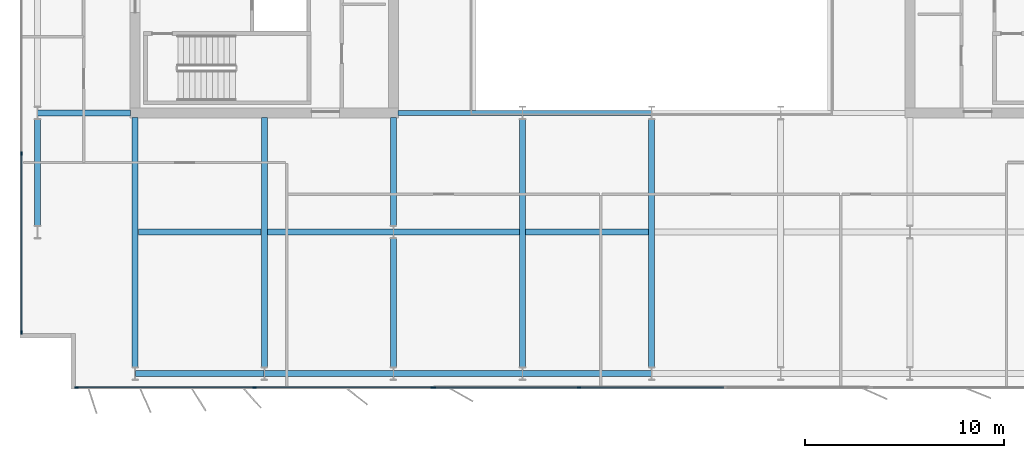
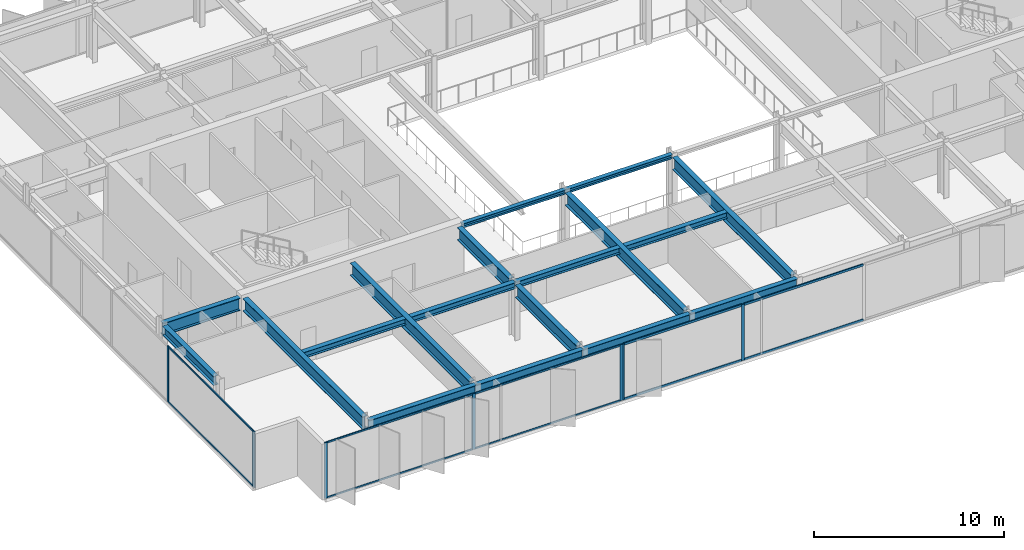
# One storey, part 4 of 19: 18 beams, 17 members, 3 elements without a shape of their own.
"""IFC4 building model written with IfcOpenShell, lengths in metres."""

from ifc_helpers import new_model, si_unit, direction, frame, origin, origin_2d, place, context, subcontext, project, spatial, rectangle, i_section, extrude, material, layer, layer_set, material_profile, profile_set, type_object, element, aggregate, save


model = new_model("IFC4")

# Units and contexts
model_context = context("Model", 3, precision=1e-05, world=origin(), true_north=direction((0.0, 1.0)))
body_context = subcontext(model_context, "Body", "Model", "MODEL_VIEW")
ifc_project = project(units=[si_unit("LENGTHUNIT", "METRE"), si_unit("AREAUNIT", "SQUARE_METRE"), si_unit("VOLUMEUNIT", "CUBIC_METRE"), si_unit("PLANEANGLEUNIT", "RADIAN"), si_unit("MASSUNIT", "GRAM", prefix="KILO")], contexts=[model_context])

# Site, building, storey
site_placement = place(None, origin())
site = spatial("IfcSite", under=ifc_project, at=site_placement, CompositionType="ELEMENT")
building_placement = place(site_placement, origin())
building = spatial("IfcBuilding", under=site, at=building_placement, Name="Putna Gate Headquarters", CompositionType="ELEMENT")
storey_placement = place(building_placement, frame((0.0, 0.0, 263.199951171875)))
storey = spatial("IfcBuildingStorey", under=building, at=storey_placement, Name="L66", CompositionType="ELEMENT", Elevation=263.199951171875)

# Beams
ifc_material_1 = material(Name="Steel S355J2", Category="steel")
ifc_material_profile_1 = material_profile(ifc_material_1, i_section(OverallWidth=0.260009765625, OverallDepth=0.260009765625, WebThickness=0.010009765625, FlangeThickness=0.017578125, at=origin_2d()), Name="Steel S355J2")
ifc_profile_set_1 = profile_set([ifc_material_profile_1], Name="Steel S355J2")
beam_type_1 = type_object("IfcBeamType", Name="BM-ATRIUM-HEB260", PredefinedType="BEAM", material=ifc_profile_set_1)
beam_1_placement = place(storey_placement, frame((26.235107421875, 19.0, 3.4580078125), z_axis=(1.0, 0.0, 0.0), x_axis=(0.0, 1.0, 0.0)))
element("IfcBeam", 1, at=beam_1_placement, inside=storey, type_object=beam_type_1, Name="L66 Atrium Edge Beam AS1", PredefinedType="BEAM", context=body_context, shape_type="SweptSolid", body=[
    extrude(i_section(OverallWidth=0.260009765625, OverallDepth=0.260009765625, WebThickness=0.010009765625, FlangeThickness=0.017578125, at=origin_2d()), origin(), (0.0, 0.0, 1.0), 6.2587890625),
])
beam_2_placement = place(storey_placement, frame((32.506103515625, 19.0, 3.4580078125), z_axis=(1.0, 0.0, 0.0), x_axis=(0.0, 1.0, 0.0)))
element("IfcBeam", 2, at=beam_2_placement, inside=storey, type_object=beam_type_1, Name="L66 Atrium Edge Beam AS2", PredefinedType="BEAM", context=body_context, shape_type="SweptSolid", body=[
    extrude(i_section(OverallWidth=0.260009765625, OverallDepth=0.260009765625, WebThickness=0.010009765625, FlangeThickness=0.017578125, at=origin_2d()), origin(), (0.0, 0.0, 1.0), 6.48779296875),
])
ifc_material_profile_2 = material_profile(ifc_material_1, i_section(OverallWidth=0.300048828125, OverallDepth=0.800048828125, WebThickness=0.017578125, FlangeThickness=0.032958984375, at=origin_2d()), Name="Steel S355J2")
ifc_profile_set_2 = profile_set([ifc_material_profile_2], Name="Steel S355J2")
beam_type_2 = type_object("IfcBeamType", Name="BM-GIRD-P-HEB800", PredefinedType="USERDEFINED", material=ifc_profile_set_2)
beam_3_placement = place(storey_placement, frame((8.0859375, 19.0, 3.18798828125), z_axis=(1.0, 0.0, 0.0), x_axis=(0.0, 1.0, 0.0)))
element("IfcBeam", 3, at=beam_3_placement, inside=storey, type_object=beam_type_2, Name="L66 West Wing Girder Y19", ObjectType="GIRDER", PredefinedType="USERDEFINED", context=body_context, shape_type="SweptSolid", body=[
    extrude(i_section(OverallWidth=0.300048828125, OverallDepth=0.800048828125, WebThickness=0.017578125, FlangeThickness=0.032958984375, at=origin_2d()), origin(), (0.0, 0.0, 1.0), 4.678955078125),
])
for number, where, z_axis, x_axis, name in (
    (4, (13.0, 6.201904296875, 3.18798828125), (0.0, 1.0, 0.0), (-1.0, 0.0, 0.0), "L66 South Primary Girder X13"),
    (5, (19.5, 6.201904296875, 3.18798828125), (0.0, 1.0, 0.0), (-1.0, 0.0, 0.0), "L66 South Primary Girder X19"),
):
    element("IfcBeam", number, at=place(storey_placement, frame(where, z_axis=z_axis, x_axis=x_axis)), inside=storey, type_object=beam_type_2, Name=name, ObjectType="GIRDER", PredefinedType="USERDEFINED", context=body_context, shape_type="SweptSolid", body=[
        extrude(i_section(OverallWidth=0.300048828125, OverallDepth=0.800048828125, WebThickness=0.017578125, FlangeThickness=0.032958984375, at=origin_2d()), origin(), (0.0, 0.0, 1.0), 12.56298828125),
    ])
beam_4_placement = place(storey_placement, frame((26.0, 6.201904296875, 3.18798828125), z_axis=(0.0, 1.0, 0.0), x_axis=(-1.0, 0.0, 0.0)))
element("IfcBeam", 6, at=beam_4_placement, inside=storey, type_object=beam_type_2, Name="L66 South Primary Girder X26-1", ObjectType="GIRDER", PredefinedType="USERDEFINED", context=body_context, shape_type="SweptSolid", body=[
    extrude(i_section(OverallWidth=0.300048828125, OverallDepth=0.800048828125, WebThickness=0.017578125, FlangeThickness=0.032958984375, at=origin_2d()), origin(), (0.0, 0.0, 1.0), 6.47607421875),
])
beam_5_placement = place(storey_placement, frame((26.0, 13.322021484375, 3.18798828125), z_axis=(0.0, 1.0, 0.0), x_axis=(-1.0, 0.0, 0.0)))
element("IfcBeam", 7, at=beam_5_placement, inside=storey, type_object=beam_type_2, Name="L66 South Primary Girder X26-2", ObjectType="GIRDER", PredefinedType="USERDEFINED", context=body_context, shape_type="SweptSolid", body=[
    extrude(i_section(OverallWidth=0.300048828125, OverallDepth=0.800048828125, WebThickness=0.017578125, FlangeThickness=0.032958984375, at=origin_2d()), origin(), (0.0, 0.0, 1.0), 5.44287109375),
])
for number, where, z_axis, x_axis, name in (
    (8, (32.5, 6.201904296875, 3.18798828125), (0.0, 1.0, 0.0), (-1.0, 0.0, 0.0), "L66 South Primary Girder X32"),
    (9, (39.0, 6.201904296875, 3.18798828125), (0.0, 1.0, 0.0), (-1.0, 0.0, 0.0), "L66 South Primary Girder X39"),
):
    element("IfcBeam", number, at=place(storey_placement, frame(where, z_axis=z_axis, x_axis=x_axis)), inside=storey, type_object=beam_type_2, Name=name, ObjectType="GIRDER", PredefinedType="USERDEFINED", context=body_context, shape_type="SweptSolid", body=[
        extrude(i_section(OverallWidth=0.300048828125, OverallDepth=0.800048828125, WebThickness=0.017578125, FlangeThickness=0.032958984375, at=origin_2d()), origin(), (0.0, 0.0, 1.0), 12.47607421875),
    ])
ifc_material_profile_3 = material_profile(ifc_material_1, i_section(OverallWidth=0.300048828125, OverallDepth=0.389892578125, WebThickness=0.010986328125, FlangeThickness=0.01904296875, at=origin_2d()), Name="Steel S355J2")
ifc_profile_set_3 = profile_set([ifc_material_profile_3], Name="Steel S355J2")
beam_type_3 = type_object("IfcBeamType", Name="BM-SEC-Z5-HEA400", PredefinedType="BEAM", material=ifc_profile_set_3)
beam_6_placement = place(storey_placement, frame((13.154052734375, 13.0, 3.39306640625), z_axis=(1.0, 0.0, 0.0), x_axis=(0.0, 1.0, 0.0)))
element("IfcBeam", 10, at=beam_6_placement, inside=storey, type_object=beam_type_3, Name="L66 South Secondary Beam 1", PredefinedType="BEAM", context=body_context, shape_type="SweptSolid", body=[
    extrude(i_section(OverallWidth=0.300048828125, OverallDepth=0.389892578125, WebThickness=0.010986328125, FlangeThickness=0.01904296875, at=origin_2d()), origin(), (0.0, 0.0, 1.0), 6.19189453125),
])
for number, where, z_axis, x_axis, name in (
    (11, (19.654052734375, 13.0, 3.39306640625), (1.0, 0.0, 0.0), (0.0, 1.0, 0.0), "L66 South Secondary Beam 2"),
    (12, (26.006103515625, 13.0, 3.39306640625), (1.0, 0.0, 0.0), (0.0, 1.0, 0.0), "L66 South Secondary Beam 3"),
):
    element("IfcBeam", number, at=place(storey_placement, frame(where, z_axis=z_axis, x_axis=x_axis)), inside=storey, type_object=beam_type_3, Name=name, PredefinedType="BEAM", context=body_context, shape_type="SweptSolid", body=[
        extrude(i_section(OverallWidth=0.300048828125, OverallDepth=0.389892578125, WebThickness=0.010986328125, FlangeThickness=0.01904296875, at=origin_2d()), origin(), (0.0, 0.0, 1.0), 6.33984375),
    ])
beam_7_placement = place(storey_placement, frame((32.654052734375, 13.0, 3.39306640625), z_axis=(1.0, 0.0, 0.0), x_axis=(0.0, 1.0, 0.0)))
element("IfcBeam", 13, at=beam_7_placement, inside=storey, type_object=beam_type_3, Name="L66 South Secondary Beam 4", PredefinedType="BEAM", context=body_context, shape_type="SweptSolid", body=[
    extrude(i_section(OverallWidth=0.300048828125, OverallDepth=0.389892578125, WebThickness=0.010986328125, FlangeThickness=0.01904296875, at=origin_2d()), origin(), (0.0, 0.0, 1.0), 6.19189453125),
])
ifc_material_profile_4 = material_profile(ifc_material_1, i_section(OverallWidth=0.300048828125, OverallDepth=0.590087890625, WebThickness=0.012939453125, FlangeThickness=0.02490234375, at=origin_2d()), Name="Steel S355J2")
ifc_profile_set_4 = profile_set([ifc_material_profile_4], Name="Steel S355J2")
beam_type_4 = type_object("IfcBeamType", Name="BM-SPAN-Z4-HEA600", PredefinedType="SPANDREL", material=ifc_profile_set_4)
for number, where, z_axis, x_axis, name in (
    (14, (13.006103515625, 5.8798828125, 3.29296875), (1.0, 0.0, 0.0), (0.0, 1.0, 0.0), "L66 S Perimeter Spandrel 1"),
    (15, (19.506103515625, 5.8798828125, 3.29296875), (1.0, 0.0, 0.0), (0.0, 1.0, 0.0), "L66 S Perimeter Spandrel 2"),
    (16, (26.006103515625, 5.8798828125, 3.29296875), (1.0, 0.0, 0.0), (0.0, 1.0, 0.0), "L66 S Perimeter Spandrel 3"),
    (17, (32.506103515625, 5.8798828125, 3.29296875), (1.0, 0.0, 0.0), (0.0, 1.0, 0.0), "L66 S Perimeter Spandrel 4"),
):
    element("IfcBeam", number, at=place(storey_placement, frame(where, z_axis=z_axis, x_axis=x_axis)), inside=storey, type_object=beam_type_4, Name=name, PredefinedType="SPANDREL", context=body_context, shape_type="SweptSolid", body=[
        extrude(i_section(OverallWidth=0.300048828125, OverallDepth=0.590087890625, WebThickness=0.012939453125, FlangeThickness=0.02490234375, at=origin_2d()), origin(), (0.0, 0.0, 1.0), 6.48779296875),
    ])
beam_8_placement = place(storey_placement, frame((8.080078125, 13.322021484375, 3.29296875), z_axis=(0.0, 1.0, 0.0), x_axis=(-1.0, 0.0, 0.0)))
element("IfcBeam", 18, at=beam_8_placement, inside=storey, type_object=beam_type_4, Name="L66 W End Spandrel 1", PredefinedType="SPANDREL", context=body_context, shape_type="SweptSolid", body=[
    extrude(i_section(OverallWidth=0.300048828125, OverallDepth=0.590087890625, WebThickness=0.012939453125, FlangeThickness=0.02490234375, at=origin_2d()), origin(), (0.0, 0.0, 1.0), 5.35595703125),
])

# Curtain wall, members
ifc_material_2 = material(Name="Anodised bronze aluminium curtain wall", Category="aluminium")
ifc_layer_1 = layer(ifc_material_2, 0.179931640625)
ifc_layer_set_1 = layer_set([ifc_layer_1], Name="Anodised bronze aluminium curtain wall")
curtain_wall_type_1 = type_object("IfcCurtainWallType", Name="CW-SYS-Z5", PredefinedType="USERDEFINED", material=ifc_layer_set_1)
curtain_wall_1_placement = place(storey_placement, origin())
curtain_wall_1 = element("IfcCurtainWall", 19, at=curtain_wall_1_placement, inside=storey, type_object=curtain_wall_type_1, Name="L66 South West Curtain Wall", ObjectType="STICK CURTAIN WALL", PredefinedType="USERDEFINED")
ifc_material_3 = material(Name="Anodised bronze aluminium EN AW-6060", Category="aluminium")
ifc_material_profile_5 = material_profile(ifc_material_3, rectangle(XDim=0.070068359375, YDim=0.179931640625, at=origin_2d()), Name="Anodised bronze aluminium EN AW-6060")
ifc_profile_set_5 = profile_set([ifc_material_profile_5], Name="Anodised bronze aluminium EN AW-6060")
member_type_1 = type_object("IfcMemberType", Name="MULL-CWM-5", PredefinedType="MULLION", material=ifc_profile_set_5)
member_1_placement = place(storey_placement, frame((10.034912109375, 5.179931640625, 0.0), z_axis=(0.0, 0.0, 1.0), x_axis=(0.0, 1.0, 0.0)))
member_1 = element("IfcMember", 20, at=member_1_placement, type_object=member_type_1, Name="CWS-5 mullion 1", PredefinedType="MULLION", context=body_context, shape_type="SweptSolid", body=[
    extrude(rectangle(XDim=0.070068359375, YDim=0.179931640625, at=origin_2d()), origin(), (0.0, 0.0, 1.0), 3.588134765625),
])
member_2_placement = place(storey_placement, frame((19.0, 5.179931640625, 0.0), z_axis=(0.0, 0.0, 1.0), x_axis=(0.0, 1.0, 0.0)))
member_2 = element("IfcMember", 21, at=member_2_placement, type_object=member_type_1, Name="CWS-5 mullion 2", PredefinedType="MULLION", context=body_context, shape_type="SweptSolid", body=[
    extrude(rectangle(XDim=0.070068359375, YDim=0.179931640625, at=origin_2d()), origin(), (0.0, 0.0, 1.0), 3.588134765625),
])
member_3_placement = place(storey_placement, frame((27.965087890625, 5.179931640625, 0.0), z_axis=(0.0, 0.0, 1.0), x_axis=(0.0, 1.0, 0.0)))
member_3 = element("IfcMember", 22, at=member_3_placement, type_object=member_type_1, Name="CWS-5 mullion 3", PredefinedType="MULLION", context=body_context, shape_type="SweptSolid", body=[
    extrude(rectangle(XDim=0.070068359375, YDim=0.179931640625, at=origin_2d()), origin(), (0.0, 0.0, 1.0), 3.588134765625),
])

curtain_wall_2_placement = place(storey_placement, origin())
curtain_wall_2 = element("IfcCurtainWall", 23, at=curtain_wall_2_placement, inside=storey, type_object=curtain_wall_type_1, Name="L66 West Curtain Wall", ObjectType="STICK CURTAIN WALL", PredefinedType="USERDEFINED")
member_4_placement = place(storey_placement, frame((7.280029296875, 7.93505859375, 0.0), z_axis=(0.0, 0.0, 1.0), x_axis=(-1.0, 0.0, 0.0)))
member_4 = element("IfcMember", 24, at=member_4_placement, type_object=member_type_1, Name="CWS-5 mullion 1", PredefinedType="MULLION", context=body_context, shape_type="SweptSolid", body=[
    extrude(rectangle(XDim=0.070068359375, YDim=0.179931640625, at=origin_2d()), origin(), (0.0, 0.0, 1.0), 3.588134765625),
])
member_5_placement = place(storey_placement, frame((7.280029296875, 16.949951171875, 0.0), z_axis=(0.0, 0.0, 1.0), x_axis=(-1.0, 0.0, 0.0)))
member_5 = element("IfcMember", 25, at=member_5_placement, type_object=member_type_1, Name="CWS-5 mullion 2", PredefinedType="MULLION", context=body_context, shape_type="SweptSolid", body=[
    extrude(rectangle(XDim=0.070068359375, YDim=0.179931640625, at=origin_2d()), origin(), (0.0, 0.0, 1.0), 3.588134765625),
])

ifc_layer_2 = layer(ifc_material_2, 0.179931640625)
ifc_layer_set_2 = layer_set([ifc_layer_2], Name="Anodised bronze aluminium curtain wall")
curtain_wall_type_2 = type_object("IfcCurtainWallType", Name="CW-SYS-ATR", PredefinedType="USERDEFINED", material=ifc_layer_set_2)
curtain_wall_3_placement = place(storey_placement, origin())
curtain_wall_3 = element("IfcCurtainWall", 26, at=curtain_wall_3_placement, inside=storey, type_object=curtain_wall_type_2, Name="L66 South Atrium Clear Glazing", ObjectType="ATRIUM GLAZING", PredefinedType="USERDEFINED")
ifc_material_profile_6 = material_profile(ifc_material_3, rectangle(XDim=0.070068359375, YDim=0.179931640625, at=origin_2d()), Name="Anodised bronze aluminium EN AW-6060")
ifc_profile_set_6 = profile_set([ifc_material_profile_6], Name="Anodised bronze aluminium EN AW-6060")
member_type_2 = type_object("IfcMemberType", Name="MULL-CWM-AT", PredefinedType="MULLION", material=ifc_profile_set_6)
member_6_placement = place(storey_placement, frame((28.034912109375, 5.179931640625, 0.0), z_axis=(0.0, 0.0, 1.0), x_axis=(0.0, 1.0, 0.0)))
member_6 = element("IfcMember", 27, at=member_6_placement, type_object=member_type_2, Name="CWS-AT mullion 1", PredefinedType="MULLION", context=body_context, shape_type="SweptSolid", body=[
    extrude(rectangle(XDim=0.070068359375, YDim=0.179931640625, at=origin_2d()), origin(), (0.0, 0.0, 1.0), 3.588134765625),
])
member_7_placement = place(storey_placement, frame((35.333251953125, 5.179931640625, 0.0), z_axis=(0.0, 0.0, 1.0), x_axis=(0.0, 1.0, 0.0)))
member_7 = element("IfcMember", 28, at=member_7_placement, type_object=member_type_2, Name="CWS-AT mullion 2", PredefinedType="MULLION", context=body_context, shape_type="SweptSolid", body=[
    extrude(rectangle(XDim=0.070068359375, YDim=0.179931640625, at=origin_2d()), origin(), (0.0, 0.0, 1.0), 3.588134765625),
])

# Member
ifc_material_profile_7 = material_profile(ifc_material_3, rectangle(XDim=0.06005859375, YDim=0.10009765625, at=origin_2d()), Name="Anodised bronze aluminium EN AW-6060")
ifc_profile_set_7 = profile_set([ifc_material_profile_7], Name="Anodised bronze aluminium EN AW-6060")
member_type_3 = type_object("IfcMemberType", Name="TRAN-CWT-5", PredefinedType="USERDEFINED", material=ifc_profile_set_7)
member_8_placement = place(storey_placement, frame((10.070068359375, 5.179931640625, 0.030029296875), z_axis=(1.0, 0.0, 0.0), x_axis=(0.0, 1.0, 0.0)))
member_8 = element("IfcMember", 29, at=member_8_placement, type_object=member_type_3, Name="CWS-5 transom 1.1", ObjectType="TRANSOM", PredefinedType="USERDEFINED", context=body_context, shape_type="SweptSolid", body=[
    extrude(rectangle(XDim=0.06005859375, YDim=0.10009765625, at=origin_2d()), origin(), (0.0, 0.0, 1.0), 8.89501953125),
])

member_9_placement = place(storey_placement, frame((10.070068359375, 5.179931640625, 3.55810546875), z_axis=(1.0, 0.0, 0.0), x_axis=(0.0, 1.0, 0.0)))
member_9 = element("IfcMember", 30, at=member_9_placement, type_object=member_type_3, Name="CWS-5 transom 1.2", ObjectType="TRANSOM", PredefinedType="USERDEFINED", context=body_context, shape_type="SweptSolid", body=[
    extrude(rectangle(XDim=0.06005859375, YDim=0.10009765625, at=origin_2d()), origin(), (0.0, 0.0, 1.0), 8.89501953125),
])

member_10_placement = place(storey_placement, frame((19.034912109375, 5.179931640625, 0.030029296875), z_axis=(1.0, 0.0, 0.0), x_axis=(0.0, 1.0, 0.0)))
member_10 = element("IfcMember", 31, at=member_10_placement, type_object=member_type_3, Name="CWS-5 transom 2.1", ObjectType="TRANSOM", PredefinedType="USERDEFINED", context=body_context, shape_type="SweptSolid", body=[
    extrude(rectangle(XDim=0.06005859375, YDim=0.10009765625, at=origin_2d()), origin(), (0.0, 0.0, 1.0), 8.89501953125),
])

member_11_placement = place(storey_placement, frame((19.034912109375, 5.179931640625, 3.55810546875), z_axis=(1.0, 0.0, 0.0), x_axis=(0.0, 1.0, 0.0)))
member_11 = element("IfcMember", 32, at=member_11_placement, type_object=member_type_3, Name="CWS-5 transom 2.2", ObjectType="TRANSOM", PredefinedType="USERDEFINED", context=body_context, shape_type="SweptSolid", body=[
    extrude(rectangle(XDim=0.06005859375, YDim=0.10009765625, at=origin_2d()), origin(), (0.0, 0.0, 1.0), 8.89501953125),
])

aggregate(curtain_wall_1, [member_1, member_2, member_3, member_8, member_9, member_10, member_11])

member_12_placement = place(storey_placement, frame((7.280029296875, 7.969970703125, 0.030029296875), z_axis=(0.0, 1.0, 0.0), x_axis=(-1.0, 0.0, 0.0)))
member_12 = element("IfcMember", 33, at=member_12_placement, type_object=member_type_3, Name="CWS-5 transom 1.1", ObjectType="TRANSOM", PredefinedType="USERDEFINED", context=body_context, shape_type="SweptSolid", body=[
    extrude(rectangle(XDim=0.06005859375, YDim=0.10009765625, at=origin_2d()), origin(), (0.0, 0.0, 1.0), 8.945068359375),
])

member_13_placement = place(storey_placement, frame((7.280029296875, 7.969970703125, 3.55810546875), z_axis=(0.0, 1.0, 0.0), x_axis=(-1.0, 0.0, 0.0)))
member_13 = element("IfcMember", 34, at=member_13_placement, type_object=member_type_3, Name="CWS-5 transom 1.2", ObjectType="TRANSOM", PredefinedType="USERDEFINED", context=body_context, shape_type="SweptSolid", body=[
    extrude(rectangle(XDim=0.06005859375, YDim=0.10009765625, at=origin_2d()), origin(), (0.0, 0.0, 1.0), 8.945068359375),
])

aggregate(curtain_wall_2, [member_4, member_5, member_12, member_13])

ifc_material_profile_8 = material_profile(ifc_material_3, rectangle(XDim=0.070068359375, YDim=0.139892578125, at=origin_2d()), Name="Anodised bronze aluminium EN AW-6060")
ifc_profile_set_8 = profile_set([ifc_material_profile_8], Name="Anodised bronze aluminium EN AW-6060")
member_type_4 = type_object("IfcMemberType", Name="TRAN-CWT-AT", PredefinedType="USERDEFINED", material=ifc_profile_set_8)
member_14_placement = place(storey_placement, frame((28.070068359375, 5.179931640625, 0.03515625), z_axis=(1.0, 0.0, 0.0), x_axis=(0.0, 1.0, 0.0)))
member_14 = element("IfcMember", 35, at=member_14_placement, type_object=member_type_4, Name="CWS-AT transom 1.1", ObjectType="TRANSOM", PredefinedType="USERDEFINED", context=body_context, shape_type="SweptSolid", body=[
    extrude(rectangle(XDim=0.070068359375, YDim=0.139892578125, at=origin_2d()), origin(), (0.0, 0.0, 1.0), 7.228271484375),
])

member_15_placement = place(storey_placement, frame((28.070068359375, 5.179931640625, 3.552978515625), z_axis=(1.0, 0.0, 0.0), x_axis=(0.0, 1.0, 0.0)))
member_15 = element("IfcMember", 36, at=member_15_placement, type_object=member_type_4, Name="CWS-AT transom 1.2", ObjectType="TRANSOM", PredefinedType="USERDEFINED", context=body_context, shape_type="SweptSolid", body=[
    extrude(rectangle(XDim=0.070068359375, YDim=0.139892578125, at=origin_2d()), origin(), (0.0, 0.0, 1.0), 7.228271484375),
])

member_16_placement = place(storey_placement, frame((35.368408203125, 5.179931640625, 0.03515625), z_axis=(1.0, 0.0, 0.0), x_axis=(0.0, 1.0, 0.0)))
member_16 = element("IfcMember", 37, at=member_16_placement, type_object=member_type_4, Name="CWS-AT transom 2.1", ObjectType="TRANSOM", PredefinedType="USERDEFINED", context=body_context, shape_type="SweptSolid", body=[
    extrude(rectangle(XDim=0.070068359375, YDim=0.139892578125, at=origin_2d()), origin(), (0.0, 0.0, 1.0), 7.26318359375),
])

member_17_placement = place(storey_placement, frame((35.368408203125, 5.179931640625, 3.552978515625), z_axis=(1.0, 0.0, 0.0), x_axis=(0.0, 1.0, 0.0)))
member_17 = element("IfcMember", 38, at=member_17_placement, type_object=member_type_4, Name="CWS-AT transom 2.2", ObjectType="TRANSOM", PredefinedType="USERDEFINED", context=body_context, shape_type="SweptSolid", body=[
    extrude(rectangle(XDim=0.070068359375, YDim=0.139892578125, at=origin_2d()), origin(), (0.0, 0.0, 1.0), 7.26318359375),
])

aggregate(curtain_wall_3, [member_6, member_7, member_14, member_15, member_16, member_17])

save(model, "model.ifc")
